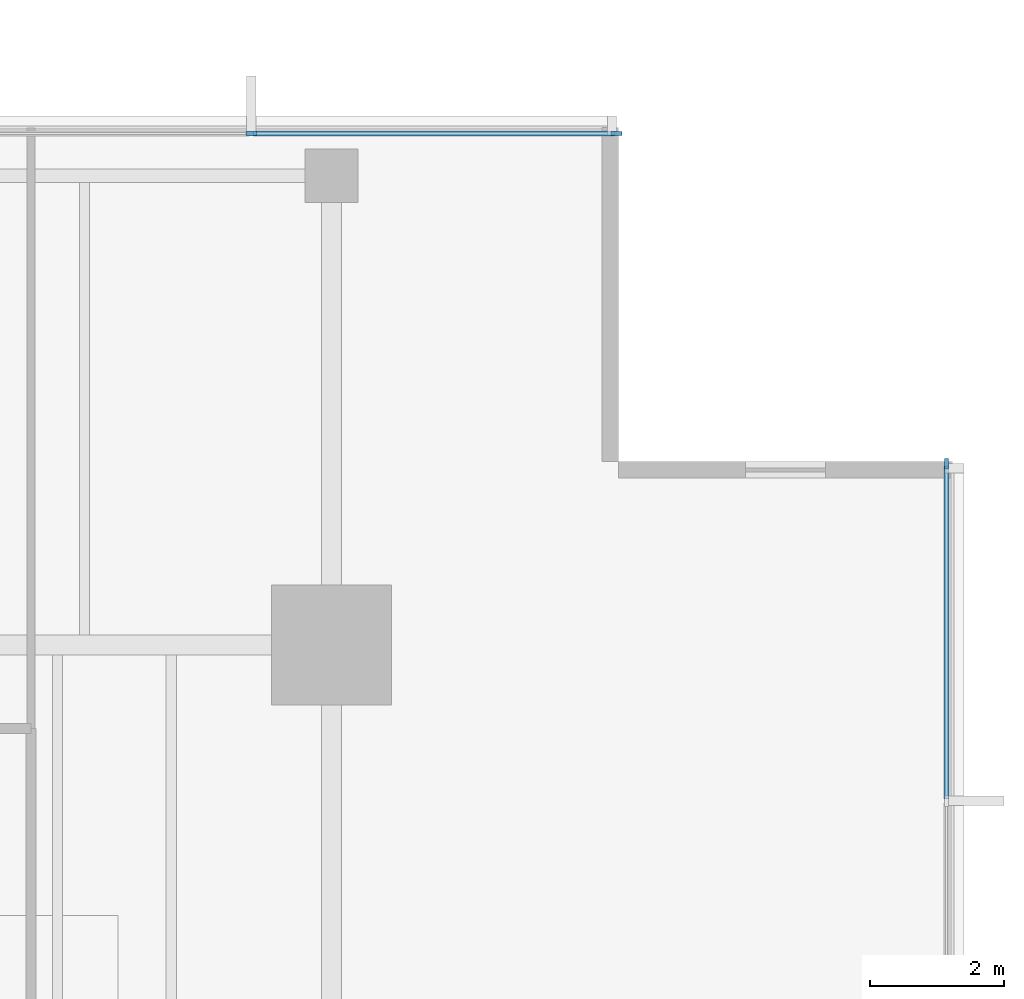
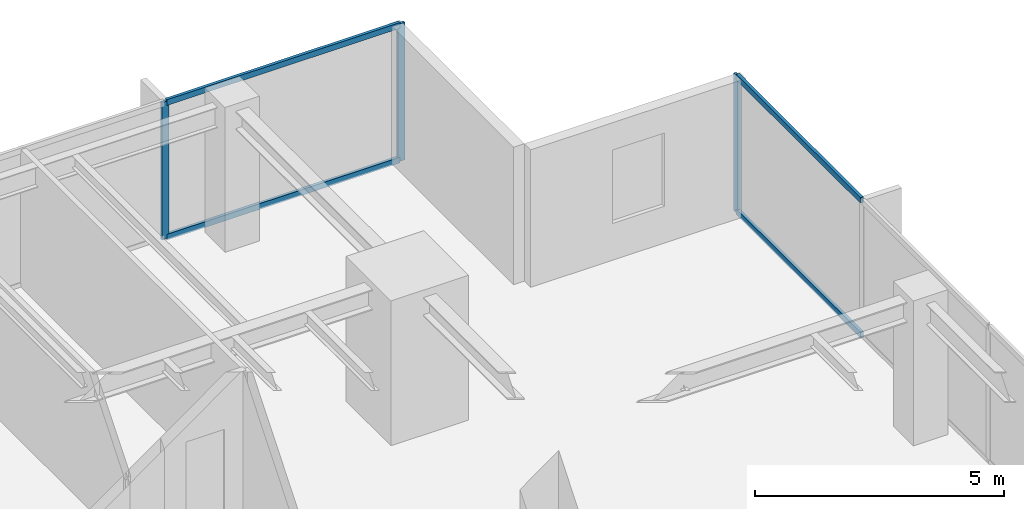
# One storey, part 6 of 14: 7 members, 2 elements without a shape of their own.
"""IFC4 building model written with IfcOpenShell, lengths in metres."""

from ifc_helpers import new_model, si_unit, direction, frame, origin, origin_2d, place, context, subcontext, project, spatial, rectangle, extrude, material, layer, layer_set, material_profile, profile_set, type_object, element, aggregate, save


model = new_model("IFC4")

# Units and contexts
model_context = context("Model", 3, precision=1e-05, world=origin(), true_north=direction((0.0, 1.0)))
body_context = subcontext(model_context, "Body", "Model", "MODEL_VIEW")
ifc_project = project(units=[si_unit("LENGTHUNIT", "METRE"), si_unit("AREAUNIT", "SQUARE_METRE"), si_unit("VOLUMEUNIT", "CUBIC_METRE"), si_unit("PLANEANGLEUNIT", "RADIAN"), si_unit("MASSUNIT", "GRAM", prefix="KILO")], contexts=[model_context])

# Site, building, storey
site_placement = place(None, origin())
site = spatial("IfcSite", under=ifc_project, at=site_placement, CompositionType="ELEMENT")
building_placement = place(site_placement, origin())
building = spatial("IfcBuilding", under=site, at=building_placement, Name="Kinhvarn Gate Tower", CompositionType="ELEMENT")
storey_placement = place(building_placement, frame((0.0, 0.0, 216.449951171875)))
storey = spatial("IfcBuildingStorey", under=building, at=storey_placement, Name="L57", CompositionType="ELEMENT", Elevation=216.449951171875)

# Curtain wall, members
ifc_material = material(Name="Anodised aluminium AW-6063", Category="aluminium")
ifc_layer = layer(ifc_material, 0.179931640625)
ifc_layer_set = layer_set([ifc_layer], Name="Anodised aluminium AW-6063")
curtain_wall_type = type_object("IfcCurtainWallType", Name="CW-SYS-3", PredefinedType="NOTDEFINED", material=ifc_layer_set)
curtain_wall_1_placement = place(storey_placement, origin())
curtain_wall_1 = element("IfcCurtainWall", 1, at=curtain_wall_1_placement, inside=storey, type_object=curtain_wall_type, Name="Curtain Wall CW3 (L57)", PredefinedType="NOTDEFINED")
ifc_material_profile_1 = material_profile(ifc_material, rectangle(XDim=0.06494140625, YDim=0.159912109375, at=origin_2d()), Name="ALU 65x160")
ifc_profile_set_1 = profile_set([ifc_material_profile_1], Name="Anodised aluminium AW-6063")
member_type_1 = type_object("IfcMemberType", Name="CW-MUL-160", PredefinedType="MULLION", material=ifc_profile_set_1)
member_1_placement = place(storey_placement, frame((42.467529296875, 45.409912109375, 0.0), z_axis=(0.0, 0.0, 1.0), x_axis=(0.0, -1.0, 0.0)))
member_1 = element("IfcMember", 2, at=member_1_placement, type_object=member_type_1, Name="CW3 mullion 1", PredefinedType="MULLION", context=body_context, shape_type="SweptSolid", body=[
    extrude(rectangle(XDim=0.06494140625, YDim=0.159912109375, at=origin_2d()), origin(), (0.0, 0.0, 1.0), 3.3701171875),
])
member_2_placement = place(storey_placement, frame((37.0, 45.409912109375, 0.0), z_axis=(0.0, 0.0, 1.0), x_axis=(0.0, -1.0, 0.0)))
member_2 = element("IfcMember", 3, at=member_2_placement, type_object=member_type_1, Name="CW3 mullion 2", PredefinedType="MULLION", context=body_context, shape_type="SweptSolid", body=[
    extrude(rectangle(XDim=0.06494140625, YDim=0.159912109375, at=origin_2d()), origin(), (0.0, 0.0, 1.0), 3.3701171875),
])

# Curtain wall, member
curtain_wall_2_placement = place(storey_placement, origin())
curtain_wall_2 = element("IfcCurtainWall", 4, at=curtain_wall_2_placement, inside=storey, type_object=curtain_wall_type, Name="Curtain Wall CW3 (L57)", PredefinedType="NOTDEFINED")
member_3_placement = place(storey_placement, frame((47.409912109375, 40.467529296875, 0.0), z_axis=(0.0, 0.0, 1.0), x_axis=(-1.0, 0.0, 0.0)))
member_3 = element("IfcMember", 5, at=member_3_placement, type_object=member_type_1, Name="CW3 mullion 7", PredefinedType="MULLION", context=body_context, shape_type="SweptSolid", body=[
    extrude(rectangle(XDim=0.06494140625, YDim=0.159912109375, at=origin_2d()), origin(), (0.0, 0.0, 1.0), 3.3701171875),
])

# Member
ifc_material_profile_2 = material_profile(ifc_material, rectangle(XDim=0.070068359375, YDim=0.139892578125, at=origin_2d()), Name="ALU 70x140")
ifc_profile_set_2 = profile_set([ifc_material_profile_2], Name="Anodised aluminium AW-6063")
member_type_2 = type_object("IfcMemberType", Name="CW-TRN-140", PredefinedType="USERDEFINED", material=ifc_profile_set_2)
member_4_placement = place(storey_placement, frame((42.43505859375, 45.409912109375, 0.03515625), z_axis=(-1.0, 0.0, 0.0), x_axis=(0.0, -1.0, 0.0)))
member_4 = element("IfcMember", 6, at=member_4_placement, type_object=member_type_2, Name="CW3 transom 1.1", ObjectType="TRANSOM", PredefinedType="USERDEFINED", context=body_context, shape_type="SweptSolid", body=[
    extrude(rectangle(XDim=0.070068359375, YDim=0.139892578125, at=origin_2d()), origin(), (0.0, 0.0, 1.0), 5.402587890625),
])

member_5_placement = place(storey_placement, frame((42.43505859375, 45.409912109375, 3.3349609375), z_axis=(-1.0, 0.0, 0.0), x_axis=(0.0, -1.0, 0.0)))
member_5 = element("IfcMember", 7, at=member_5_placement, type_object=member_type_2, Name="CW3 transom 1.2", ObjectType="TRANSOM", PredefinedType="USERDEFINED", context=body_context, shape_type="SweptSolid", body=[
    extrude(rectangle(XDim=0.070068359375, YDim=0.139892578125, at=origin_2d()), origin(), (0.0, 0.0, 1.0), 5.402587890625),
])

aggregate(curtain_wall_1, [member_1, member_2, member_4, member_5])

member_6_placement = place(storey_placement, frame((47.409912109375, 35.44921875, 0.03515625), z_axis=(0.0, 1.0, 0.0), x_axis=(-1.0, 0.0, 0.0)))
member_6 = element("IfcMember", 8, at=member_6_placement, type_object=member_type_2, Name="CW3 transom 6.1", ObjectType="TRANSOM", PredefinedType="USERDEFINED", context=body_context, shape_type="SweptSolid", body=[
    extrude(rectangle(XDim=0.070068359375, YDim=0.139892578125, at=origin_2d()), origin(), (0.0, 0.0, 1.0), 4.98583984375),
])

member_7_placement = place(storey_placement, frame((47.409912109375, 35.44921875, 3.3349609375), z_axis=(0.0, 1.0, 0.0), x_axis=(-1.0, 0.0, 0.0)))
member_7 = element("IfcMember", 9, at=member_7_placement, type_object=member_type_2, Name="CW3 transom 6.2", ObjectType="TRANSOM", PredefinedType="USERDEFINED", context=body_context, shape_type="SweptSolid", body=[
    extrude(rectangle(XDim=0.070068359375, YDim=0.139892578125, at=origin_2d()), origin(), (0.0, 0.0, 1.0), 4.98583984375),
])

aggregate(curtain_wall_2, [member_3, member_6, member_7])

save(model, "model.ifc")
